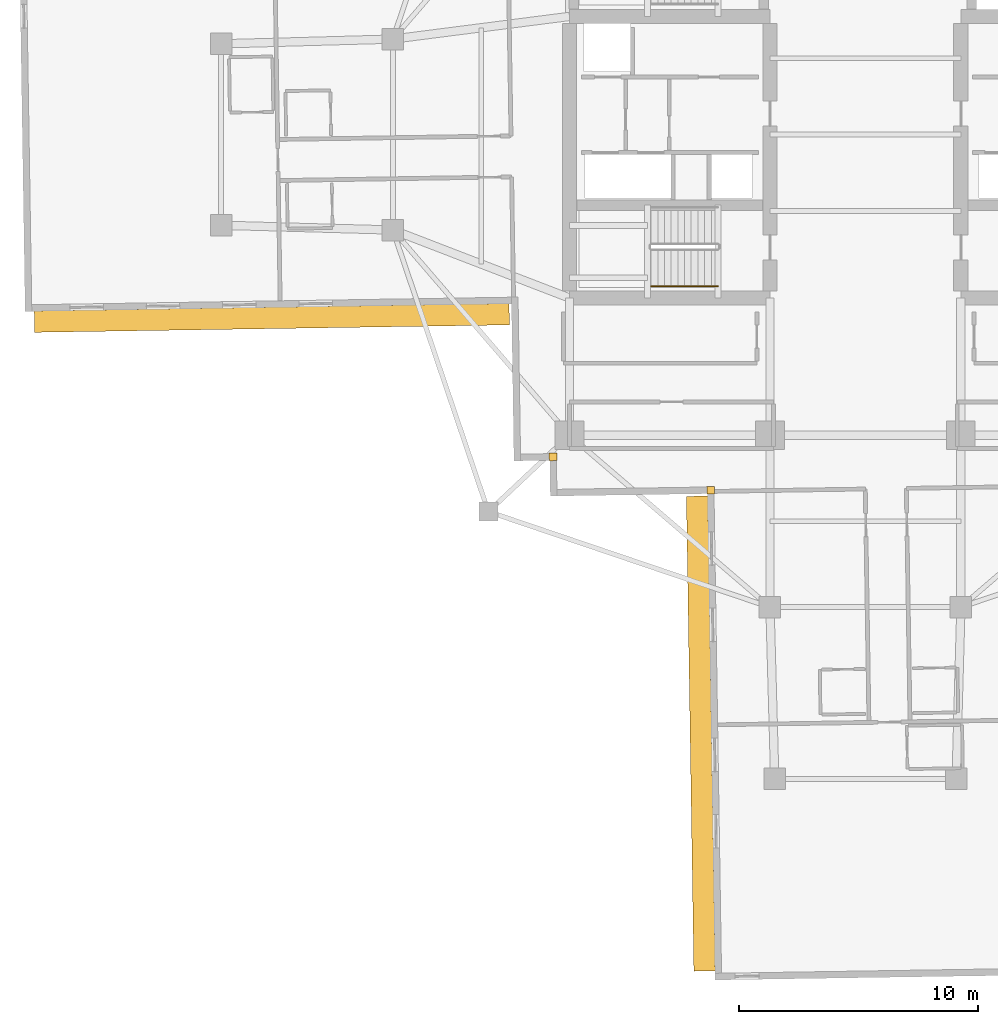
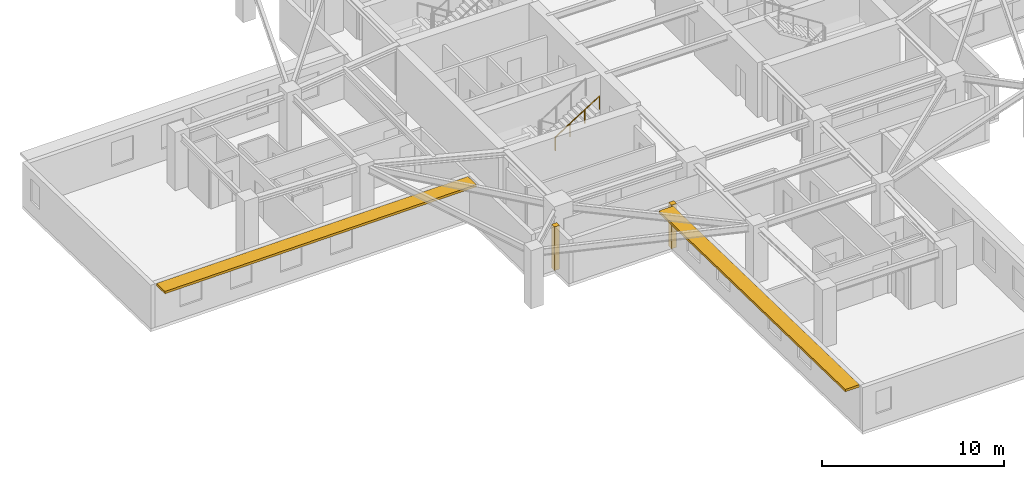
# One storey, part 9 of 13: 2 coverings, 2 shading devices, 1 railing.
"""IFC4 building model written with IfcOpenShell, lengths in metres."""

from ifc_helpers import new_model, si_unit, direction, frame, origin, origin_2d, place, context, subcontext, project, spatial, rectangle, circle, extrude, material, layer, layer_set, type_object, element, save


model = new_model("IFC4")

# Units and contexts
model_context = context("Model", 3, precision=1e-05, world=origin(), true_north=direction((0.0, 1.0)))
body_context = subcontext(model_context, "Body", "Model", "MODEL_VIEW")
ifc_project = project(units=[si_unit("LENGTHUNIT", "METRE"), si_unit("AREAUNIT", "SQUARE_METRE"), si_unit("VOLUMEUNIT", "CUBIC_METRE"), si_unit("PLANEANGLEUNIT", "RADIAN"), si_unit("MASSUNIT", "GRAM", prefix="KILO")], contexts=[model_context])

# Site, building, storey
site_placement = place(None, origin())
site = spatial("IfcSite", under=ifc_project, at=site_placement, CompositionType="ELEMENT")
building_placement = place(site_placement, origin())
building = spatial("IfcBuilding", under=site, at=building_placement, Name="Qingluan Cross Belvedere", CompositionType="ELEMENT")
storey_placement = place(building_placement, frame((0.0, 0.0, 187.800048828125)))
storey = spatial("IfcBuildingStorey", under=building, at=storey_placement, Name="L47", CompositionType="ELEMENT", Elevation=187.800048828125)

# Coverings
ifc_material_1 = material(Name="Precast concrete C45", Category="concrete")
ifc_layer_1 = layer(ifc_material_1, 0.1201171875, Name="ConcreteSpandrelCladding_120")
ifc_layer_set_1 = layer_set([ifc_layer_1], Name="Precast concrete C45")
covering_type = type_object("IfcCoveringType", Name="ConcreteSpandrelCladding_120", PredefinedType="CLADDING", material=ifc_layer_set_1)
for number, where, z_axis, x_axis, name in (
    (1, (-13.089599609375, -13.50732421875, 0.0), (0.0, 0.0, 1.0), (0.999876632482, 0.015707317312, 0.0), "Corner closure L47-SW1"),
    (2, (-6.48681640625, -14.90380859375, 0.0), (0.0, 0.0, 1.0), (0.999876632482, 0.015707317312, 0.0), "Corner closure L47-SW2"),
):
    element("IfcCovering", number, at=place(storey_placement, frame(where, z_axis=z_axis, x_axis=x_axis)), inside=storey, type_object=covering_type, Name=name, PredefinedType="CLADDING", context=body_context, shape_type="SweptSolid", body=[
        extrude(rectangle(XDim=0.320068359375, YDim=0.320068359375, at=origin_2d()), origin(), (0.0, 0.0, 1.0), 2.919921875),
    ])

# Shading devices
ifc_material_2 = material(Name="Precast concrete C45", Category="concrete")
ifc_layer_2 = layer(ifc_material_2, 0.159912109375, Name="ConcreteSunshadeBand_900")
ifc_layer_set_2 = layer_set([ifc_layer_2], Name="Precast concrete C45")
shading_device_type = type_object("IfcShadingDeviceType", Name="ConcreteSunshadeBand_900", PredefinedType="USERDEFINED", material=ifc_layer_set_2)
for number, where, z_axis, x_axis, name in (
    (3, (-24.872314453125, -7.681640625, 2.740234375), (0.0, 0.0, 1.0), (0.999876567432, 0.015711457647, 0.0), "Concrete SUNSHADE L47-WB"),
    (4, (-6.896484375, -25.101318359375, 2.740234375), (0.0, 0.0, 1.0), (0.015706483741, -0.999876645576, 0.0), "Concrete SUNSHADE L47-SA"),
):
    element("IfcShadingDevice", number, at=place(storey_placement, frame(where, z_axis=z_axis, x_axis=x_axis)), inside=storey, type_object=shading_device_type, Name=name, ObjectType="SUNSHADE", PredefinedType="USERDEFINED", context=body_context, shape_type="SweptSolid", body=[
        extrude(rectangle(XDim=19.89990234375, YDim=0.89990234375, at=origin_2d()), origin(), (0.0, 0.0, 1.0), 0.159912109375),
    ])

# Railing
ifc_material_3 = material(Name="Brushed stainless steel tubular handrail", Category="steel")
railing_type = type_object("IfcRailingType", Name="StairPitchHandrail_900", PredefinedType="HANDRAIL", material=ifc_material_3)
railing_placement = place(storey_placement, frame((-8.97998046875, -6.35009765625, 2.127197265625)))
element("IfcRailing", 5, at=railing_placement, inside=storey, type_object=railing_type, Name="L47 ST1 stair handrail 2", PredefinedType="HANDRAIL", context=body_context, shape_type="SweptSolid", body=[
    extrude(circle(Radius=0.02392578125, at=origin_2d()), frame((0.0, 0.0, 0.8759765625), z_axis=(0.844908973607, 0.0, 0.534910110503), x_axis=(0.0, 1.0, 0.0)), (0.0, 0.0, 1.0), 3.31396484375),
    extrude(circle(Radius=0.02099609375, at=origin_2d()), origin(), (0.0, 0.0, 1.0), 0.851806640625),
    extrude(circle(Radius=0.02099609375, at=origin_2d()), frame((0.933349609375, 0.0, 0.5908203125)), (0.0, 0.0, 1.0), 0.851806640625),
    extrude(circle(Radius=0.02099609375, at=origin_2d()), frame((1.86669921875, 0.0, 1.181884765625)), (0.0, 0.0, 1.0), 0.851806640625),
    extrude(circle(Radius=0.02099609375, at=origin_2d()), frame((2.800048828125, 0.0, 1.772705078125)), (0.0, 0.0, 1.0), 0.851806640625),
])

save(model, "model.ifc")
